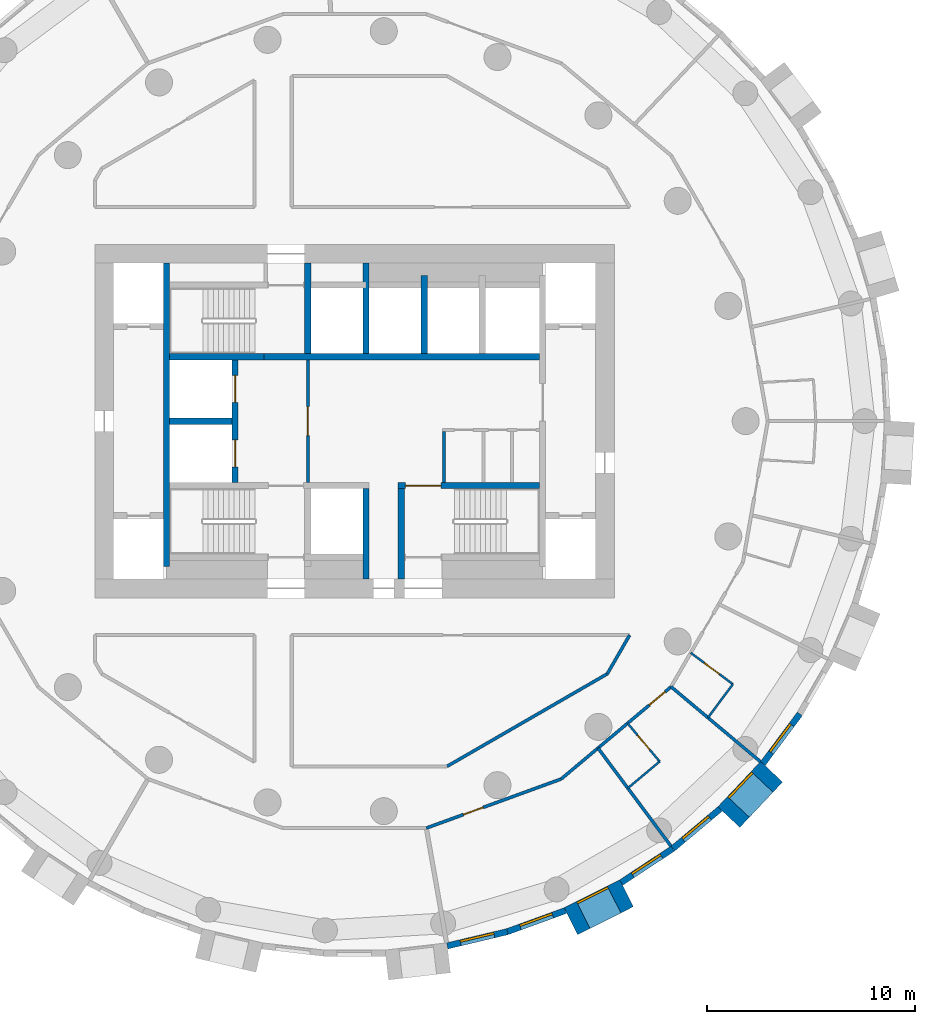
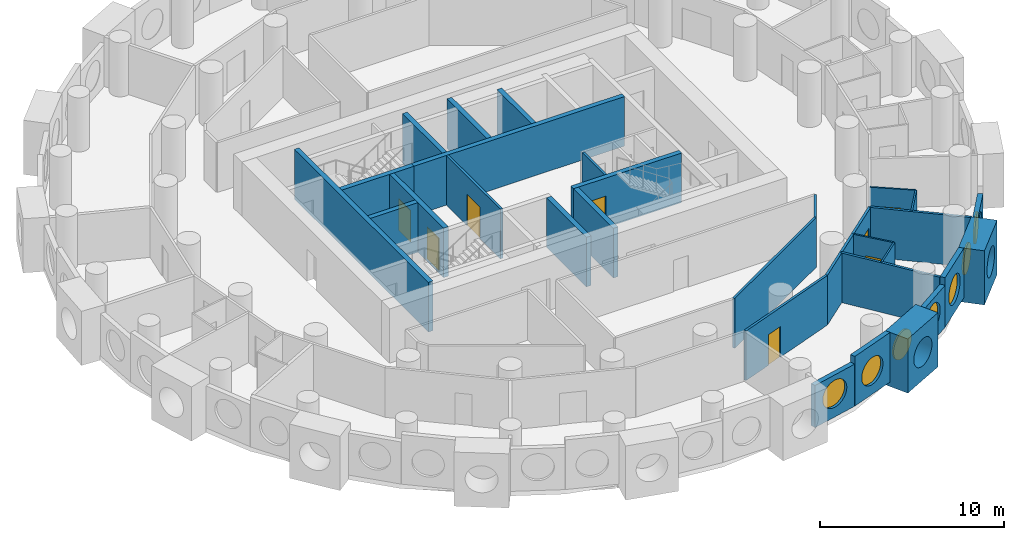
# One storey, part 4 of 9: 30 walls, 8 doors, 7 windows, 15 openings.
"""IFC4 building model written with IfcOpenShell, lengths in metres."""

from ifc_helpers import new_model, si_unit, direction, frame, frame_2d, origin, origin_2d, place, context, subcontext, project, spatial, rectangle, circle, extrude, material, layer, layer_set, type_object, element, fill, save


model = new_model("IFC4")

# Units and contexts
model_context = context("Model", 3, precision=1e-05, world=origin(), true_north=direction((0.0, 1.0)))
body_context = subcontext(model_context, "Body", "Model", "MODEL_VIEW")
ifc_project = project(units=[si_unit("LENGTHUNIT", "METRE"), si_unit("AREAUNIT", "SQUARE_METRE"), si_unit("VOLUMEUNIT", "CUBIC_METRE"), si_unit("PLANEANGLEUNIT", "RADIAN"), si_unit("MASSUNIT", "GRAM", prefix="KILO")], contexts=[model_context])

# Site, building, storey
site_placement = place(None, origin())
site = spatial("IfcSite", under=ifc_project, at=site_placement, CompositionType="ELEMENT")
building_placement = place(site_placement, origin())
building = spatial("IfcBuilding", under=site, at=building_placement, Name="Tracery Tower", CompositionType="ELEMENT")
storey_placement = place(building_placement, frame((0.0, 0.0, 190.800048828125)))
storey = spatial("IfcBuildingStorey", under=building, at=storey_placement, Name="L49", CompositionType="ELEMENT", Elevation=190.800048828125)

# Wall, opening, door
ifc_material_1 = material(Name="Plasterboard on steel studs", Category="steel")
ifc_layer_1 = layer(ifc_material_1, 0.14990234375)
ifc_layer_set_1 = layer_set([ifc_layer_1], Name="Core lobby partition 150")
wall_type_1 = type_object("IfcWallType", Name="Core lobby partition 150", PredefinedType="SOLIDWALL", material=ifc_layer_set_1)
wall_1_placement = place(storey_placement, frame((-2.25, -2.949951171875, 0.0), z_axis=(0.0, 0.0, 1.0), x_axis=(0.0, 1.0, 0.0)))
wall_1 = element("IfcWall", 1, at=wall_1_placement, inside=storey, type_object=wall_type_1, Name="L49 FF lobby E", PredefinedType="SOLIDWALL", context=body_context, shape_type="SweptSolid", body=[
    extrude(rectangle(XDim=5.89990234375, YDim=0.14990234375, at=frame_2d((2.949951171875, 0.0))), origin(), (0.0, 0.0, 1.0), 3.300048828125),
])
opening_1_placement = place(wall_1_placement, frame((2.25, 0.0, 0.0)))
opening_1 = element("IfcOpeningElement", 2, at=opening_1_placement, cuts=wall_1, Name="Opening KD8", PredefinedType="OPENING", context=body_context, shape_type="SweptSolid", body=[
    extrude(rectangle(XDim=1.39990234375, YDim=2.10009765625, at=frame_2d((0.699951171875, 1.050048828125))), frame((0.0, 0.074951171875, 0.0), z_axis=(0.0, -1.0, 0.0), x_axis=(1.0, 0.0, 0.0)), (0.0, 0.0, 1.0), 0.14990234375),
])
ifc_material_2 = material(Name="Steel fire door", Category="steel")
door_type_1 = type_object("IfcDoorType", Name="Core lobby door 1400 double", OperationType="NOTDEFINED", PredefinedType="DOOR", material=ifc_material_2)
door_1_placement = place(opening_1_placement, origin())
door_1 = element("IfcDoor", 3, at=door_1_placement, inside=storey, type_object=door_type_1, Name="Fire-fighting lobby door", OperationType="DOUBLE_DOOR_SINGLE_SWING", OverallHeight=2.10009765625, OverallWidth=1.39990234375, PredefinedType="DOOR", context=body_context, shape_type="SweptSolid", body=[
    extrude(rectangle(XDim=1.39990234375, YDim=2.10009765625, at=frame_2d((0.699951171875, 1.050048828125))), frame((0.0, 0.02490234375, 0.0), z_axis=(0.0, -1.0, 0.0), x_axis=(1.0, 0.0, 0.0)), (0.0, 0.0, 1.0), 0.050048828125),
])
fill(opening_1, door_1)

# Wall
ifc_material_3 = material(Name="Plasterboard on steel studs", Category="steel")
ifc_layer_2 = layer(ifc_material_3, 0.14990234375)
ifc_layer_set_2 = layer_set([ifc_layer_2], Name="Core room partition 150")
wall_type_2 = type_object("IfcWallType", Name="Core room partition 150", PredefinedType="SOLIDWALL", material=ifc_layer_set_2)
wall_2_placement = place(storey_placement, frame((4.300048828125, -2.949951171875, 0.0), z_axis=(0.0, 0.0, 1.0), x_axis=(0.0, 1.0, 0.0)))
element("IfcWall", 4, at=wall_2_placement, inside=storey, type_object=wall_type_2, Name="L49 slot W", PredefinedType="SOLIDWALL", context=body_context, shape_type="SweptSolid", body=[
    extrude(rectangle(XDim=2.449951171875, YDim=0.14990234375, at=frame_2d((1.22509765625, 0.0))), origin(), (0.0, 0.0, 1.0), 3.300048828125),
])

# Wall, opening, window
ifc_material_4 = material(Name="Precast concrete C50/60", Category="concrete")
ifc_layer_3 = layer(ifc_material_4, 1.449951171875)
ifc_layer_set_3 = layer_set([ifc_layer_3], Name="Deep-set bay unit 3000 x 3600, slab edge 300")
wall_type_3 = type_object("IfcWallType", Name="Deep-set bay unit 3000 x 3600, slab edge 300", PredefinedType="ELEMENTEDWALL", material=ifc_layer_set_3)
wall_3_placement = place(storey_placement, frame((10.40869140625, -24.067626953125, -0.300048828125), z_axis=(0.0, 0.0, 1.0), x_axis=(0.893628249713, 0.448807922518, 0.0)))
wall_3 = element("IfcWall", 5, at=wall_3_placement, inside=storey, type_object=wall_type_3, Name="Deep-set bay unit 45 at L49", PredefinedType="ELEMENTEDWALL", context=body_context, shape_type="SweptSolid", body=[
    extrude(rectangle(XDim=3.0, YDim=1.449951171875, at=frame_2d((1.5, 0.0))), origin(), (0.0, 0.0, 1.0), 3.60009765625),
])
opening_2_placement = place(wall_3_placement, frame((1.5, 0.0, 1.85009765625)))
opening_2 = element("IfcOpeningElement", 6, at=opening_2_placement, cuts=wall_3, Name="Opening WN1", PredefinedType="OPENING", context=body_context, shape_type="SweptSolid", body=[
    extrude(circle(Radius=0.9000244140625, at=origin_2d()), frame((0.0, 0.73486328125, 0.0), z_axis=(0.0, -1.0, 0.0), x_axis=(1.0, 0.0, 0.0)), (0.0, 0.0, 1.0), 1.469970703125),
])
ifc_material_5 = material(Name="Aluminium frame with tinted double glazing", Category="aluminium")
window_type = type_object("IfcWindowType", Name="Round window 1800", PartitioningType="SINGLE_PANEL", PredefinedType="WINDOW", material=ifc_material_5)
window_1_placement = place(opening_2_placement, origin())
window_1 = element("IfcWindow", 7, at=window_1_placement, inside=storey, type_object=window_type, Name="Round window 45 at L49", OverallHeight=1.800048828125, OverallWidth=1.800048828125, PartitioningType="SINGLE_PANEL", PredefinedType="WINDOW", context=body_context, shape_type="SweptSolid", body=[
    extrude(circle(Radius=0.9000244140625, at=origin_2d()), frame((0.0, 0.69482421875, 0.0), z_axis=(0.0, -1.0, 0.0), x_axis=(1.0, 0.0, 0.0)), (0.0, 0.0, 1.0), 0.10009765625),
])
fill(opening_2, window_1)

wall_4_placement = place(storey_placement, frame((18.0126953125, -19.05615234375, -0.300048828125), z_axis=(0.0, 0.0, 1.0), x_axis=(0.686217177108, 0.727396718334, 0.0)))
wall_4 = element("IfcWall", 8, at=wall_4_placement, inside=storey, type_object=wall_type_3, Name="Deep-set bay unit 48 at L49", PredefinedType="ELEMENTEDWALL", context=body_context, shape_type="SweptSolid", body=[
    extrude(rectangle(XDim=3.0, YDim=1.449951171875, at=frame_2d((1.5, 0.0))), origin(), (0.0, 0.0, 1.0), 3.60009765625),
])
opening_3_placement = place(wall_4_placement, frame((1.5, 0.0, 1.85009765625)))
opening_3 = element("IfcOpeningElement", 9, at=opening_3_placement, cuts=wall_4, Name="Opening WN1", PredefinedType="OPENING", context=body_context, shape_type="SweptSolid", body=[
    extrude(circle(Radius=0.9000244140625, at=origin_2d()), frame((0.0, 0.73486328125, 0.0), z_axis=(0.0, -1.0, 0.0), x_axis=(1.0, 0.0, 0.0)), (0.0, 0.0, 1.0), 1.469970703125),
])
window_2_placement = place(opening_3_placement, origin())
window_2 = element("IfcWindow", 10, at=window_2_placement, inside=storey, type_object=window_type, Name="Round window 48 at L49", OverallHeight=1.800048828125, OverallWidth=1.800048828125, PartitioningType="SINGLE_PANEL", PredefinedType="WINDOW", context=body_context, shape_type="SweptSolid", body=[
    extrude(circle(Radius=0.9000244140625, at=origin_2d()), frame((0.0, 0.69482421875, 0.0), z_axis=(0.0, -1.0, 0.0), x_axis=(1.0, 0.0, 0.0)), (0.0, 0.0, 1.0), 0.10009765625),
])
fill(opening_3, window_2)

ifc_material_6 = material(Name="Precast concrete C50/60", Category="concrete")
ifc_layer_4 = layer(ifc_material_6, 0.300048828125)
ifc_layer_set_4 = layer_set([ifc_layer_4], Name="Facade panel 3000 x 2800")
wall_type_4 = type_object("IfcWallType", Name="Facade panel 3000 x 2800", PredefinedType="SOLIDWALL", material=ifc_layer_set_4)
wall_5_placement = place(storey_placement, frame((4.463134765625, -25.255615234375, 0.0), z_axis=(0.0, 0.0, 1.0), x_axis=(0.973045378923, 0.230613725862, 0.0)))
wall_5 = element("IfcWall", 11, at=wall_5_placement, inside=storey, type_object=wall_type_4, Name="Facade panel 43 at L49", PredefinedType="SOLIDWALL", context=body_context, shape_type="SweptSolid", body=[
    extrude(rectangle(XDim=2.97265625, YDim=0.300048828125, at=frame_2d((1.486328125, 0.0))), origin(), (0.0, 0.0, 1.0), 2.800048828125),
])
opening_4_placement = place(wall_5_placement, frame((1.486328125, 0.0, 1.5498046875)))
opening_4 = element("IfcOpeningElement", 12, at=opening_4_placement, cuts=wall_5, Name="Opening WN1", PredefinedType="OPENING", context=body_context, shape_type="SweptSolid", body=[
    extrude(circle(Radius=0.9000244140625, at=origin_2d()), frame((0.0, 0.159912109375, 0.0), z_axis=(0.0, -1.0, 0.0), x_axis=(1.0, 0.0, 0.0)), (0.0, 0.0, 1.0), 0.320068359375),
])
window_3_placement = place(opening_4_placement, origin())
window_3 = element("IfcWindow", 13, at=window_3_placement, inside=storey, type_object=window_type, Name="Round window 43 at L49", OverallHeight=1.800048828125, OverallWidth=1.800048828125, PartitioningType="SINGLE_PANEL", PredefinedType="WINDOW", context=body_context, shape_type="SweptSolid", body=[
    extrude(circle(Radius=0.9000244140625, at=origin_2d()), frame((0.0, 0.1201171875, 0.0), z_axis=(0.0, -1.0, 0.0), x_axis=(1.0, 0.0, 0.0)), (0.0, 0.0, 1.0), 0.10009765625),
])
fill(opening_4, window_3)

wall_6_placement = place(storey_placement, frame((12.831787109375, -22.2060546875, 0.0), z_axis=(0.0, 0.0, 1.0), x_axis=(0.835508361394, 0.54947773207, 0.0)))
wall_6 = element("IfcWall", 14, at=wall_6_placement, inside=storey, type_object=wall_type_4, Name="Facade panel 46 at L49", PredefinedType="SOLIDWALL", context=body_context, shape_type="SweptSolid", body=[
    extrude(rectangle(XDim=2.972900390625, YDim=0.300048828125, at=frame_2d((1.486328125, 0.0))), origin(), (0.0, 0.0, 1.0), 2.800048828125),
])
opening_5_placement = place(wall_6_placement, frame((1.486328125, 0.0, 1.5498046875)))
opening_5 = element("IfcOpeningElement", 15, at=opening_5_placement, cuts=wall_6, Name="Opening WN1", PredefinedType="OPENING", context=body_context, shape_type="SweptSolid", body=[
    extrude(circle(Radius=0.9000244140625, at=origin_2d()), frame((0.0, 0.159912109375, 0.0), z_axis=(0.0, -1.0, 0.0), x_axis=(1.0, 0.0, 0.0)), (0.0, 0.0, 1.0), 0.320068359375),
])
window_4_placement = place(opening_5_placement, origin())
window_4 = element("IfcWindow", 16, at=window_4_placement, inside=storey, type_object=window_type, Name="Round window 46 at L49", OverallHeight=1.800048828125, OverallWidth=1.800048828125, PartitioningType="SINGLE_PANEL", PredefinedType="WINDOW", context=body_context, shape_type="SweptSolid", body=[
    extrude(circle(Radius=0.9000244140625, at=origin_2d()), frame((0.0, 0.1201171875, 0.0), z_axis=(0.0, -1.0, 0.0), x_axis=(1.0, 0.0, 0.0)), (0.0, 0.0, 1.0), 0.10009765625),
])
fill(opening_5, window_4)

wall_7_placement = place(storey_placement, frame((19.65283203125, -16.47802734375, 0.0), z_axis=(0.0, 0.0, 1.0), x_axis=(0.597197580538, 0.80209416517, 0.0)))
wall_7 = element("IfcWall", 17, at=wall_7_placement, inside=storey, type_object=wall_type_4, Name="Facade panel 49 at L49", PredefinedType="SOLIDWALL", context=body_context, shape_type="SweptSolid", body=[
    extrude(rectangle(XDim=2.972900390625, YDim=0.300048828125, at=frame_2d((1.486328125, 0.0))), origin(), (0.0, 0.0, 1.0), 2.800048828125),
])
opening_6_placement = place(wall_7_placement, frame((1.486328125, 0.0, 1.5498046875)))
opening_6 = element("IfcOpeningElement", 18, at=opening_6_placement, cuts=wall_7, Name="Opening WN1", PredefinedType="OPENING", context=body_context, shape_type="SweptSolid", body=[
    extrude(circle(Radius=0.9000244140625, at=origin_2d()), frame((0.0, 0.159912109375, 0.0), z_axis=(0.0, -1.0, 0.0), x_axis=(1.0, 0.0, 0.0)), (0.0, 0.0, 1.0), 0.320068359375),
])
window_5_placement = place(opening_6_placement, origin())
window_5 = element("IfcWindow", 19, at=window_5_placement, inside=storey, type_object=window_type, Name="Round window 49 at L49", OverallHeight=1.800048828125, OverallWidth=1.800048828125, PartitioningType="SINGLE_PANEL", PredefinedType="WINDOW", context=body_context, shape_type="SweptSolid", body=[
    extrude(circle(Radius=0.9000244140625, at=origin_2d()), frame((0.0, 0.1201171875, 0.0), z_axis=(0.0, -1.0, 0.0), x_axis=(1.0, 0.0, 0.0)), (0.0, 0.0, 1.0), 0.10009765625),
])
fill(opening_6, window_5)

ifc_material_7 = material(Name="Precast concrete C50/60", Category="concrete")
ifc_layer_5 = layer(ifc_material_7, 0.300048828125)
ifc_layer_set_5 = layer_set([ifc_layer_5], Name="Facade panel 3000 x 3300")
wall_type_5 = type_object("IfcWallType", Name="Facade panel 3000 x 3300", PredefinedType="SOLIDWALL", material=ifc_layer_set_5)
wall_8_placement = place(storey_placement, frame((7.355712890625, -24.570068359375, 0.0), z_axis=(0.0, 0.0, 1.0), x_axis=(0.939690282133, 0.342026568652, 0.0)))
wall_8 = element("IfcWall", 20, at=wall_8_placement, inside=storey, type_object=wall_type_5, Name="Facade panel 44 at L49", PredefinedType="SOLIDWALL", context=body_context, shape_type="SweptSolid", body=[
    extrude(rectangle(XDim=2.972900390625, YDim=0.300048828125, at=frame_2d((1.486328125, 0.0))), origin(), (0.0, 0.0, 1.0), 3.300048828125),
])
opening_7_placement = place(wall_8_placement, frame((1.486328125, 0.0, 1.5498046875)))
opening_7 = element("IfcOpeningElement", 21, at=opening_7_placement, cuts=wall_8, Name="Opening WN1", PredefinedType="OPENING", context=body_context, shape_type="SweptSolid", body=[
    extrude(circle(Radius=0.9000244140625, at=origin_2d()), frame((0.0, 0.159912109375, 0.0), z_axis=(0.0, -1.0, 0.0), x_axis=(1.0, 0.0, 0.0)), (0.0, 0.0, 1.0), 0.320068359375),
])
window_6_placement = place(opening_7_placement, origin())
window_6 = element("IfcWindow", 22, at=window_6_placement, inside=storey, type_object=window_type, Name="Round window 44 at L49", OverallHeight=1.800048828125, OverallWidth=1.800048828125, PartitioningType="SINGLE_PANEL", PredefinedType="WINDOW", context=body_context, shape_type="SweptSolid", body=[
    extrude(circle(Radius=0.9000244140625, at=origin_2d()), frame((0.0, 0.1201171875, 0.0), z_axis=(0.0, -1.0, 0.0), x_axis=(1.0, 0.0, 0.0)), (0.0, 0.0, 1.0), 0.10009765625),
])
fill(opening_7, window_6)

wall_9_placement = place(storey_placement, frame((15.315673828125, -20.572509765625, 0.0), z_axis=(0.0, 0.0, 1.0), x_axis=(0.766008913364, 0.642829950023, 0.0)))
wall_9 = element("IfcWall", 23, at=wall_9_placement, inside=storey, type_object=wall_type_5, Name="Facade panel 47 at L49", PredefinedType="SOLIDWALL", context=body_context, shape_type="SweptSolid", body=[
    extrude(rectangle(XDim=2.972900390625, YDim=0.300048828125, at=frame_2d((1.486328125, 0.0))), origin(), (0.0, 0.0, 1.0), 3.300048828125),
])
opening_8_placement = place(wall_9_placement, frame((1.486328125, 0.0, 1.5498046875)))
opening_8 = element("IfcOpeningElement", 24, at=opening_8_placement, cuts=wall_9, Name="Opening WN1", PredefinedType="OPENING", context=body_context, shape_type="SweptSolid", body=[
    extrude(circle(Radius=0.9000244140625, at=origin_2d()), frame((0.0, 0.159912109375, 0.0), z_axis=(0.0, -1.0, 0.0), x_axis=(1.0, 0.0, 0.0)), (0.0, 0.0, 1.0), 0.320068359375),
])
window_7_placement = place(opening_8_placement, origin())
window_7 = element("IfcWindow", 25, at=window_7_placement, inside=storey, type_object=window_type, Name="Round window 47 at L49", OverallHeight=1.800048828125, OverallWidth=1.800048828125, PartitioningType="SINGLE_PANEL", PredefinedType="WINDOW", context=body_context, shape_type="SweptSolid", body=[
    extrude(circle(Radius=0.9000244140625, at=origin_2d()), frame((0.0, 0.1201171875, 0.0), z_axis=(0.0, -1.0, 0.0), x_axis=(1.0, 0.0, 0.0)), (0.0, 0.0, 1.0), 0.10009765625),
])
fill(opening_8, window_7)

# Wall
ifc_material_8 = material(Name="Plasterboard on steel studs", Category="steel")
ifc_layer_6 = layer(ifc_material_8, 0.10009765625)
ifc_layer_set_6 = layer_set([ifc_layer_6], Name="Partition 100 wet wall")
wall_type_6 = type_object("IfcWallType", Name="Partition 100 wet wall", PredefinedType="PARTITIONING", material=ifc_layer_set_6)
wall_10_placement = place(storey_placement, frame((13.15087890625, -17.6650390625, 0.0), z_axis=(0.0, 0.0, 1.0), x_axis=(0.766224532916, 0.642572925945, 0.0)))
element("IfcWall", 26, at=wall_10_placement, inside=storey, type_object=wall_type_6, Name="Wet wall RB7-058", PredefinedType="PARTITIONING", context=body_context, shape_type="SweptSolid", body=[
    extrude(rectangle(XDim=1.998046875, YDim=0.10009765625, at=frame_2d((0.9990234375, 0.0))), origin(), (0.0, 0.0, 1.0), 3.300048828125),
])

# Wall, opening, door
wall_11_placement = place(storey_placement, frame((13.138916015625, -14.5419921875, 0.0), z_axis=(0.0, 0.0, 1.0), x_axis=(0.642731657745, -0.766091388891, 0.0)))
wall_11 = element("IfcWall", 27, at=wall_11_placement, inside=storey, type_object=wall_type_6, Name="Wet wall RB7-059", PredefinedType="PARTITIONING", context=body_context, shape_type="SweptSolid", body=[
    extrude(rectangle(XDim=2.400634765625, YDim=0.10009765625, at=frame_2d((1.2001953125, 0.0))), origin(), (0.0, 0.0, 1.0), 3.300048828125),
])
opening_9_placement = place(wall_11_placement, frame((0.75048828125, 0.0, 0.0)))
opening_9 = element("IfcOpeningElement", 28, at=opening_9_placement, cuts=wall_11, Name="Opening RB7-19", PredefinedType="OPENING", context=body_context, shape_type="SweptSolid", body=[
    extrude(rectangle(XDim=0.89990234375, YDim=2.0400390625, at=frame_2d((0.449951171875, 1.02001953125))), frame((0.0, 0.050048828125, 0.0), z_axis=(0.0, -1.0, 0.0), x_axis=(1.0, 0.0, 0.0)), (0.0, 0.0, 1.0), 0.10009765625),
])
ifc_material_9 = material(Name="Timber door leaf", Category="wood")
door_type_2 = type_object("IfcDoorType", Name="Door en-suite 900", OperationType="NOTDEFINED", PredefinedType="DOOR", material=ifc_material_9)
door_2_placement = place(opening_9_placement, origin())
door_2 = element("IfcDoor", 29, at=door_2_placement, inside=storey, type_object=door_type_2, Name="En-suite door RB7-19", OperationType="SINGLE_SWING_LEFT", OverallHeight=2.0400390625, OverallWidth=0.89990234375, PredefinedType="DOOR", context=body_context, shape_type="SweptSolid", body=[
    extrude(rectangle(XDim=0.89990234375, YDim=2.0400390625, at=frame_2d((0.449951171875, 1.02001953125))), frame((0.0, 0.02490234375, 0.0), z_axis=(0.0, -1.0, 0.0), x_axis=(1.0, 0.0, 0.0)), (0.0, 0.0, 1.0), 0.050048828125),
])
fill(opening_9, door_2)

# Wall
wall_12_placement = place(storey_placement, frame((17.007080078125, -14.27099609375, 0.0), z_axis=(0.0, 0.0, 1.0), x_axis=(0.597019866774, 0.802226450996, 0.0)))
element("IfcWall", 30, at=wall_12_placement, inside=storey, type_object=wall_type_6, Name="Wet wall RB7-061", PredefinedType="PARTITIONING", context=body_context, shape_type="SweptSolid", body=[
    extrude(rectangle(XDim=2.00830078125, YDim=0.10009765625, at=frame_2d((1.004150390625, 0.0))), origin(), (0.0, 0.0, 1.0), 3.300048828125),
])

# Wall, opening, door
wall_13_placement = place(storey_placement, frame((16.177978515625, -11.14990234375, 0.0), z_axis=(0.0, 0.0, 1.0), x_axis=(0.8020923136, -0.597200067367, 0.0)))
wall_13 = element("IfcWall", 31, at=wall_13_placement, inside=storey, type_object=wall_type_6, Name="Wet wall RB7-062", PredefinedType="PARTITIONING", context=body_context, shape_type="SweptSolid", body=[
    extrude(rectangle(XDim=2.528564453125, YDim=0.10009765625, at=frame_2d((1.26416015625, 0.0))), origin(), (0.0, 0.0, 1.0), 3.300048828125),
])
opening_10_placement = place(wall_13_placement, frame((0.814453125, 0.0, 0.0)))
opening_10 = element("IfcOpeningElement", 32, at=opening_10_placement, cuts=wall_13, Name="Opening RB7-21", PredefinedType="OPENING", context=body_context, shape_type="SweptSolid", body=[
    extrude(rectangle(XDim=0.89990234375, YDim=2.0400390625, at=frame_2d((0.449951171875, 1.02001953125))), frame((0.0, 0.050048828125, 0.0), z_axis=(0.0, -1.0, 0.0), x_axis=(1.0, 0.0, 0.0)), (0.0, 0.0, 1.0), 0.10009765625),
])
door_3_placement = place(opening_10_placement, origin())
door_3 = element("IfcDoor", 33, at=door_3_placement, inside=storey, type_object=door_type_2, Name="En-suite door RB7-21", OperationType="SINGLE_SWING_LEFT", OverallHeight=2.0400390625, OverallWidth=0.89990234375, PredefinedType="DOOR", context=body_context, shape_type="SweptSolid", body=[
    extrude(rectangle(XDim=0.89990234375, YDim=2.0400390625, at=frame_2d((0.449951171875, 1.02001953125))), frame((0.0, 0.02490234375, 0.0), z_axis=(0.0, -1.0, 0.0), x_axis=(1.0, 0.0, 0.0)), (0.0, 0.0, 1.0), 0.050048828125),
])
fill(opening_10, door_3)

# Walls
ifc_material_10 = material(Name="Plasterboard on steel studs", Category="steel")
ifc_layer_7 = layer(ifc_material_10, 0.14990234375)
ifc_layer_set_7 = layer_set([ifc_layer_7], Name="Partition 150 acoustic unit wall")
wall_type_7 = type_object("IfcWallType", Name="Partition 150 acoustic unit wall", PredefinedType="PARTITIONING", material=ifc_layer_set_7)
wall_14_placement = place(storey_placement, frame((11.716796875, -15.736328125, 0.0), z_axis=(0.0, 0.0, 1.0), x_axis=(0.597012012598, -0.802232296043, 0.0)))
element("IfcWall", 34, at=wall_14_placement, inside=storey, type_object=wall_type_7, Name="Unit wall RB7-057", PredefinedType="PARTITIONING", context=body_context, shape_type="SweptSolid", body=[
    extrude(rectangle(XDim=5.878173828125, YDim=0.14990234375, at=frame_2d((2.93896484375, 0.0))), origin(), (0.0, 0.0, 1.0), 3.300048828125),
])
wall_15_placement = place(storey_placement, frame((15.234375, -12.784912109375, 0.0), z_axis=(0.0, 0.0, 1.0), x_axis=(0.766230257274, -0.642566099976, 0.0)))
element("IfcWall", 35, at=wall_15_placement, inside=storey, type_object=wall_type_7, Name="Unit wall RB7-060", PredefinedType="PARTITIONING", context=body_context, shape_type="SweptSolid", body=[
    extrude(rectangle(XDim=5.60888671875, YDim=0.14990234375, at=frame_2d((2.804443359375, 0.0))), origin(), (0.0, 0.0, 1.0), 3.300048828125),
])
ifc_material_11 = material(Name="Plasterboard on steel studs", Category="steel")
ifc_layer_8 = layer(ifc_material_11, 0.14990234375)
ifc_layer_set_8 = layer_set([ifc_layer_8], Name="Partition 150 corridor wall")
wall_type_8 = type_object("IfcWallType", Name="Partition 150 corridor wall", PredefinedType="PARTITIONING", material=ifc_layer_set_8)
wall_16_placement = place(storey_placement, frame((12.162109375, -12.162109375, 0.0), z_axis=(0.0, 0.0, 1.0), x_axis=(0.499961633463, 0.866047553582, 0.0)))
element("IfcWall", 36, at=wall_16_placement, inside=storey, type_object=wall_type_8, Name="Corridor wall RB7-006", PredefinedType="PARTITIONING", context=body_context, shape_type="SweptSolid", body=[
    extrude(rectangle(XDim=2.150146484375, YDim=0.14990234375, at=frame_2d((1.0751953125, 0.0))), origin(), (0.0, 0.0, 1.0), 3.300048828125),
])

# Wall, opening, door
wall_17_placement = place(storey_placement, frame((9.943359375, -17.22216796875, 0.0), z_axis=(0.0, 0.0, 1.0), x_axis=(0.766192104565, 0.642611592567, 0.0)))
wall_17 = element("IfcWall", 37, at=wall_17_placement, inside=storey, type_object=wall_type_8, Name="Corridor wall RB7-010", PredefinedType="PARTITIONING", context=body_context, shape_type="SweptSolid", body=[
    extrude(rectangle(XDim=6.906494140625, YDim=0.14990234375, at=frame_2d((3.453125, 0.0))), origin(), (0.0, 0.0, 1.0), 3.300048828125),
])
opening_11_placement = place(wall_17_placement, frame((5.53662109375, 0.0, 0.0)))
opening_11 = element("IfcOpeningElement", 38, at=opening_11_placement, cuts=wall_17, Name="Opening RB7-20", PredefinedType="OPENING", context=body_context, shape_type="SweptSolid", body=[
    extrude(rectangle(XDim=1.0, YDim=2.10009765625, at=frame_2d((0.5, 1.050048828125))), frame((0.0, 0.074951171875, 0.0), z_axis=(0.0, -1.0, 0.0), x_axis=(1.0, 0.0, 0.0)), (0.0, 0.0, 1.0), 0.14990234375),
])
ifc_material_12 = material(Name="Timber door leaf", Category="wood")
door_type_3 = type_object("IfcDoorType", Name="Door unit entrance 1000", OperationType="NOTDEFINED", PredefinedType="DOOR", material=ifc_material_12)
door_4_placement = place(opening_11_placement, origin())
door_4 = element("IfcDoor", 39, at=door_4_placement, inside=storey, type_object=door_type_3, Name="Unit entrance door RB7-20", OperationType="SINGLE_SWING_RIGHT", OverallHeight=2.10009765625, OverallWidth=1.0, PredefinedType="DOOR", context=body_context, shape_type="SweptSolid", body=[
    extrude(rectangle(XDim=1.0, YDim=2.10009765625, at=frame_2d((0.5, 1.050048828125))), frame((0.0, 0.02490234375, 0.0), z_axis=(0.0, -1.0, 0.0), x_axis=(1.0, 0.0, 0.0)), (0.0, 0.0, 1.0), 0.050048828125),
])
fill(opening_11, door_4)

# Wall
wall_18_placement = place(storey_placement, frame((4.451904296875, -16.614013671875, 0.0), z_axis=(0.0, 0.0, 1.0), x_axis=(0.866005203721, 0.500034985904, 0.0)))
element("IfcWall", 40, at=wall_18_placement, inside=storey, type_object=wall_type_8, Name="Corridor wall RB7-036", PredefinedType="PARTITIONING", context=body_context, shape_type="SweptSolid", body=[
    extrude(rectangle(XDim=8.903076171875, YDim=0.14990234375, at=frame_2d((4.45166015625, 0.0))), origin(), (0.0, 0.0, 1.0), 3.300048828125),
])

# Wall, opening, door
wall_19_placement = place(storey_placement, frame((3.452880859375, -19.5859375, 0.0), z_axis=(0.0, 0.0, 1.0), x_axis=(0.939672634566, 0.342075050021, 0.0)))
wall_19 = element("IfcWall", 41, at=wall_19_placement, inside=storey, type_object=wall_type_8, Name="Corridor wall RB7-039", PredefinedType="PARTITIONING", context=body_context, shape_type="SweptSolid", body=[
    extrude(rectangle(XDim=6.907958984375, YDim=0.14990234375, at=frame_2d((3.4541015625, 0.0))), origin(), (0.0, 0.0, 1.0), 3.300048828125),
])
opening_12_placement = place(wall_19_placement, frame((1.90380859375, 0.0, 0.0)))
opening_12 = element("IfcOpeningElement", 42, at=opening_12_placement, cuts=wall_19, Name="Opening RB7-18", PredefinedType="OPENING", context=body_context, shape_type="SweptSolid", body=[
    extrude(rectangle(XDim=1.0, YDim=2.0400390625, at=frame_2d((0.5, 1.02001953125))), frame((0.0, 0.074951171875, 0.0), z_axis=(0.0, -1.0, 0.0), x_axis=(1.0, 0.0, 0.0)), (0.0, 0.0, 1.0), 0.14990234375),
])
ifc_material_13 = material(Name="Timber door leaf", Category="wood")
door_type_4 = type_object("IfcDoorType", Name="Door communal room 1000", OperationType="NOTDEFINED", PredefinedType="DOOR", material=ifc_material_13)
door_5_placement = place(opening_12_placement, origin())
door_5 = element("IfcDoor", 43, at=door_5_placement, inside=storey, type_object=door_type_4, Name="Communal room door RB7-18", OperationType="SINGLE_SWING_RIGHT", OverallHeight=2.0400390625, OverallWidth=1.0, PredefinedType="DOOR", context=body_context, shape_type="SweptSolid", body=[
    extrude(rectangle(XDim=1.0, YDim=2.0400390625, at=frame_2d((0.5, 1.02001953125))), frame((0.0, 0.02490234375, 0.0), z_axis=(0.0, -1.0, 0.0), x_axis=(1.0, 0.0, 0.0)), (0.0, 0.0, 1.0), 0.050048828125),
])
fill(opening_12, door_5)

# Wall
ifc_material_14 = material(Name="Concrete C50/60", Category="concrete")
ifc_layer_9 = layer(ifc_material_14, 0.300048828125)
ifc_layer_set_9 = layer_set([ifc_layer_9], Name="Shaft wall 300 C50")
wall_type_9 = type_object("IfcWallType", Name="Shaft wall 300 C50", PredefinedType="SOLIDWALL", material=ifc_layer_set_9)
wall_20_placement = place(storey_placement, frame((-8.89990234375, 0.0, 0.0), z_axis=(0.0, 0.0, 1.0), x_axis=(1.0, 0.0, 0.0)))
element("IfcWall", 44, at=wall_20_placement, inside=storey, type_object=wall_type_9, Name="L49 FF split", PredefinedType="SOLIDWALL", context=body_context, shape_type="SweptSolid", body=[
    extrude(rectangle(XDim=3.0, YDim=0.300048828125, at=frame_2d((1.5, 0.0))), origin(), (0.0, 0.0, 1.0), 3.300048828125),
])

# Wall, openings, doors
wall_21_placement = place(storey_placement, frame((-5.75, -2.949951171875, 0.0), z_axis=(0.0, 0.0, 1.0), x_axis=(0.0, 1.0, 0.0)))
wall_21 = element("IfcWall", 45, at=wall_21_placement, inside=storey, type_object=wall_type_9, Name="L49 FF doors", PredefinedType="SOLIDWALL", context=body_context, shape_type="SweptSolid", body=[
    extrude(rectangle(XDim=5.89990234375, YDim=0.300048828125, at=frame_2d((2.949951171875, 0.0))), origin(), (0.0, 0.0, 1.0), 3.300048828125),
])
opening_13_placement = place(wall_21_placement, frame((0.75, 0.0, 0.0)))
opening_13 = element("IfcOpeningElement", 46, at=opening_13_placement, cuts=wall_21, Name="Opening KD54", PredefinedType="OPENING", context=body_context, shape_type="SweptSolid", body=[
    extrude(rectangle(XDim=1.300048828125, YDim=2.10009765625, at=frame_2d((0.64990234375, 1.050048828125))), frame((0.0, 0.14990234375, 0.0), z_axis=(0.0, -1.0, 0.0), x_axis=(1.0, 0.0, 0.0)), (0.0, 0.0, 1.0), 0.300048828125),
])
opening_14_placement = place(wall_21_placement, frame((3.85009765625, 0.0, 0.0)))
opening_14 = element("IfcOpeningElement", 47, at=opening_14_placement, cuts=wall_21, Name="Opening KD55", PredefinedType="OPENING", context=body_context, shape_type="SweptSolid", body=[
    extrude(rectangle(XDim=1.300048828125, YDim=2.10009765625, at=frame_2d((0.64990234375, 1.050048828125))), frame((0.0, 0.14990234375, 0.0), z_axis=(0.0, -1.0, 0.0), x_axis=(1.0, 0.0, 0.0)), (0.0, 0.0, 1.0), 0.300048828125),
])
ifc_material_15 = material(Name="Steel fire door", Category="steel")
door_type_5 = type_object("IfcDoorType", Name="Landing door FF 1300", OperationType="NOTDEFINED", PredefinedType="DOOR", material=ifc_material_15)
door_6_placement = place(opening_13_placement, origin())
door_6 = element("IfcDoor", 48, at=door_6_placement, inside=storey, type_object=door_type_5, Name="Landing door FF1", OperationType="SLIDING_TO_LEFT", OverallHeight=2.10009765625, OverallWidth=1.300048828125, PredefinedType="DOOR", context=body_context, shape_type="SweptSolid", body=[
    extrude(rectangle(XDim=1.300048828125, YDim=2.10009765625, at=frame_2d((0.64990234375, 1.050048828125))), frame((0.0, 0.02490234375, 0.0), z_axis=(0.0, -1.0, 0.0), x_axis=(1.0, 0.0, 0.0)), (0.0, 0.0, 1.0), 0.050048828125),
])
fill(opening_13, door_6)
door_7_placement = place(opening_14_placement, origin())
door_7 = element("IfcDoor", 49, at=door_7_placement, inside=storey, type_object=door_type_5, Name="Landing door FF2", OperationType="SLIDING_TO_RIGHT", OverallHeight=2.10009765625, OverallWidth=1.300048828125, PredefinedType="DOOR", context=body_context, shape_type="SweptSolid", body=[
    extrude(rectangle(XDim=1.300048828125, YDim=2.10009765625, at=frame_2d((0.64990234375, 1.050048828125))), frame((0.0, 0.02490234375, 0.0), z_axis=(0.0, -1.0, 0.0), x_axis=(1.0, 0.0, 0.0)), (0.0, 0.0, 1.0), 0.050048828125),
])
fill(opening_14, door_7)

# Walls
for number, where, z_axis, x_axis, name in (
    (50, (0.550048828125, -7.60009765625, 0.0), (0.0, 0.0, 1.0), (0.0, 1.0, 0.0), "L49 OB2 E"),
    (51, (0.550048828125, 3.25, 0.0), (0.0, 0.0, 1.0), (0.0, 1.0, 0.0), "L49 HR sep 1"),
):
    element("IfcWall", number, at=place(storey_placement, frame(where, z_axis=z_axis, x_axis=x_axis)), inside=storey, type_object=wall_type_9, Name=name, PredefinedType="SOLIDWALL", context=body_context, shape_type="SweptSolid", body=[
        extrude(rectangle(XDim=4.35009765625, YDim=0.300048828125, at=frame_2d((2.175048828125, 0.0))), origin(), (0.0, 0.0, 1.0), 3.300048828125),
    ])
wall_22_placement = place(storey_placement, frame((3.35009765625, 3.25, 0.0), z_axis=(0.0, 0.0, 1.0), x_axis=(0.0, 1.0, 0.0)))
element("IfcWall", 52, at=wall_22_placement, inside=storey, type_object=wall_type_9, Name="L49 HR sep 2", PredefinedType="SOLIDWALL", context=body_context, shape_type="SweptSolid", body=[
    extrude(rectangle(XDim=3.75, YDim=0.300048828125, at=frame_2d((1.875, 0.0))), origin(), (0.0, 0.0, 1.0), 3.300048828125),
])

# Wall, opening, door
ifc_material_16 = material(Name="Concrete C50/60", Category="concrete")
ifc_layer_10 = layer(ifc_material_16, 0.300048828125)
ifc_layer_set_10 = layer_set([ifc_layer_10], Name="Stair wall 300 C50")
wall_type_10 = type_object("IfcWallType", Name="Stair wall 300 C50", PredefinedType="SOLIDWALL", material=ifc_layer_set_10)
wall_23_placement = place(storey_placement, frame((2.10009765625, -3.10009765625, 0.0), z_axis=(0.0, 0.0, 1.0), x_axis=(1.0, 0.0, 0.0)))
wall_23 = element("IfcWall", 53, at=wall_23_placement, inside=storey, type_object=wall_type_10, Name="L49 row S E", PredefinedType="SOLIDWALL", context=body_context, shape_type="SweptSolid", body=[
    extrude(rectangle(XDim=6.7998046875, YDim=0.300048828125, at=frame_2d((3.39990234375, 0.0))), origin(), (0.0, 0.0, 1.0), 3.300048828125),
])
opening_15_placement = place(wall_23_placement, frame((0.35009765625, 0.0, 0.0)))
opening_15 = element("IfcOpeningElement", 54, at=opening_15_placement, cuts=wall_23, Name="Opening KD3", PredefinedType="OPENING", context=body_context, shape_type="SweptSolid", body=[
    extrude(rectangle(XDim=1.699951171875, YDim=2.10009765625, at=frame_2d((0.85009765625, 1.050048828125))), frame((0.0, 0.14990234375, 0.0), z_axis=(0.0, -1.0, 0.0), x_axis=(1.0, 0.0, 0.0)), (0.0, 0.0, 1.0), 0.300048828125),
])
ifc_material_17 = material(Name="Steel fire door", Category="steel")
door_type_6 = type_object("IfcDoorType", Name="Core stair door 1700 double", OperationType="NOTDEFINED", PredefinedType="DOOR", material=ifc_material_17)
door_8_placement = place(opening_15_placement, origin())
door_8 = element("IfcDoor", 55, at=door_8_placement, inside=storey, type_object=door_type_6, Name="Stair door ST2", OperationType="DOUBLE_DOOR_SINGLE_SWING", OverallHeight=2.10009765625, OverallWidth=1.699951171875, PredefinedType="DOOR", context=body_context, shape_type="SweptSolid", body=[
    extrude(rectangle(XDim=1.699951171875, YDim=2.10009765625, at=frame_2d((0.85009765625, 1.050048828125))), frame((0.0, 0.02490234375, 0.0), z_axis=(0.0, -1.0, 0.0), x_axis=(1.0, 0.0, 0.0)), (0.0, 0.0, 1.0), 0.050048828125),
])
fill(opening_15, door_8)

# Walls
wall_24_placement = place(storey_placement, frame((-8.89990234375, 3.10009765625, 0.0), z_axis=(0.0, 0.0, 1.0), x_axis=(1.0, 0.0, 0.0)))
element("IfcWall", 56, at=wall_24_placement, inside=storey, type_object=wall_type_10, Name="L49 row N W", PredefinedType="SOLIDWALL", context=body_context, shape_type="SweptSolid", body=[
    extrude(rectangle(XDim=4.5498046875, YDim=0.300048828125, at=frame_2d((2.27490234375, 0.0))), origin(), (0.0, 0.0, 1.0), 3.300048828125),
])
wall_25_placement = place(storey_placement, frame((-4.35009765625, 3.10009765625, 0.0), z_axis=(0.0, 0.0, 1.0), x_axis=(1.0, 0.0, 0.0)))
element("IfcWall", 57, at=wall_25_placement, inside=storey, type_object=wall_type_10, Name="L49 row N", PredefinedType="SOLIDWALL", context=body_context, shape_type="SweptSolid", body=[
    extrude(rectangle(XDim=13.25, YDim=0.300048828125, at=frame_2d((6.625, 0.0))), origin(), (0.0, 0.0, 1.0), 3.300048828125),
])
for number, where, z_axis, x_axis, name in (
    (58, (-2.25, 3.25, 0.0), (0.0, 0.0, 1.0), (0.0, 1.0, 0.0), "L49 ST3 E"),
    (59, (2.25, -7.60009765625, 0.0), (0.0, 0.0, 1.0), (0.0, 1.0, 0.0), "L49 ST2 W"),
):
    element("IfcWall", number, at=place(storey_placement, frame(where, z_axis=z_axis, x_axis=x_axis)), inside=storey, type_object=wall_type_10, Name=name, PredefinedType="SOLIDWALL", context=body_context, shape_type="SweptSolid", body=[
        extrude(rectangle(XDim=4.35009765625, YDim=0.300048828125, at=frame_2d((2.175048828125, 0.0))), origin(), (0.0, 0.0, 1.0), 3.300048828125),
    ])
wall_26_placement = place(storey_placement, frame((-9.050048828125, -7.0, 0.0), z_axis=(0.0, 0.0, 1.0), x_axis=(0.0, 1.0, 0.0)))
element("IfcWall", 60, at=wall_26_placement, inside=storey, type_object=wall_type_10, Name="L49 F wall -9", PredefinedType="SOLIDWALL", context=body_context, shape_type="SweptSolid", body=[
    extrude(rectangle(XDim=14.60009765625, YDim=0.300048828125, at=frame_2d((7.300048828125, 0.0))), origin(), (0.0, 0.0, 1.0), 3.300048828125),
])

save(model, "model.ifc")
